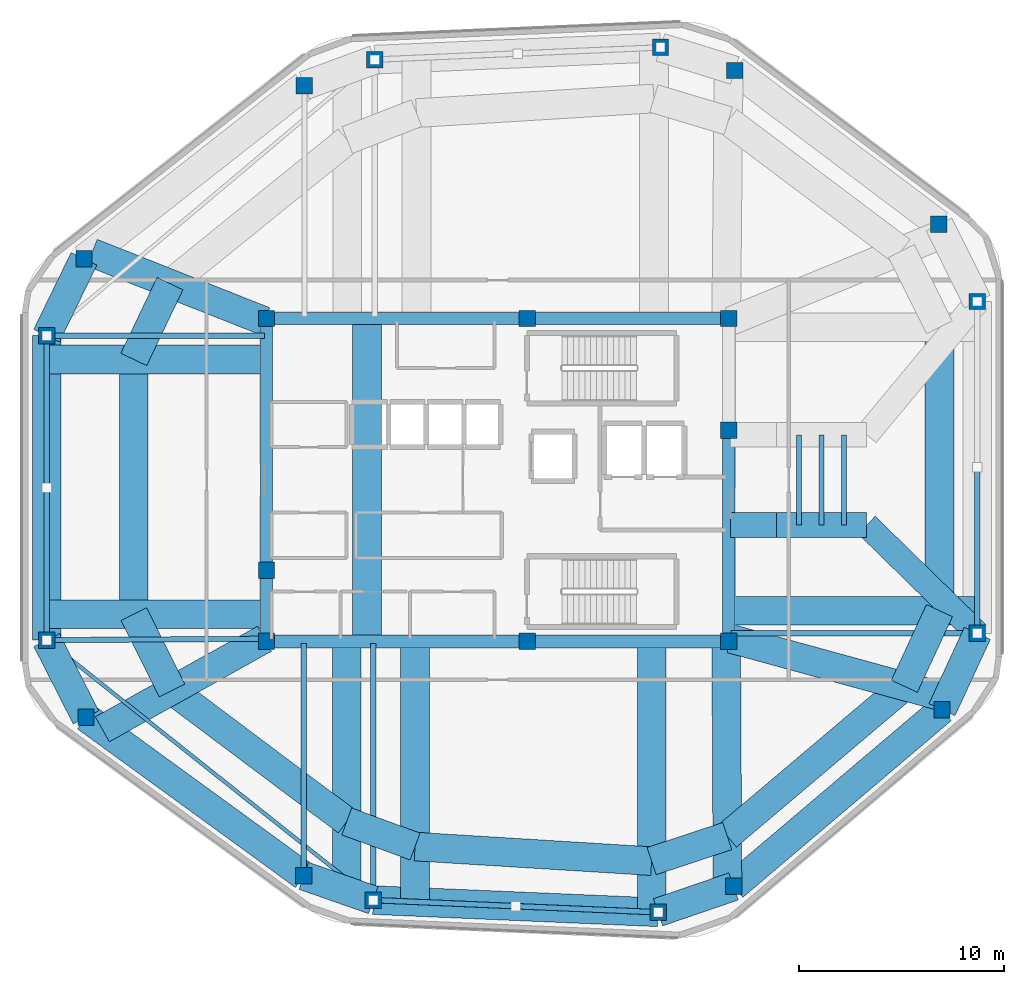
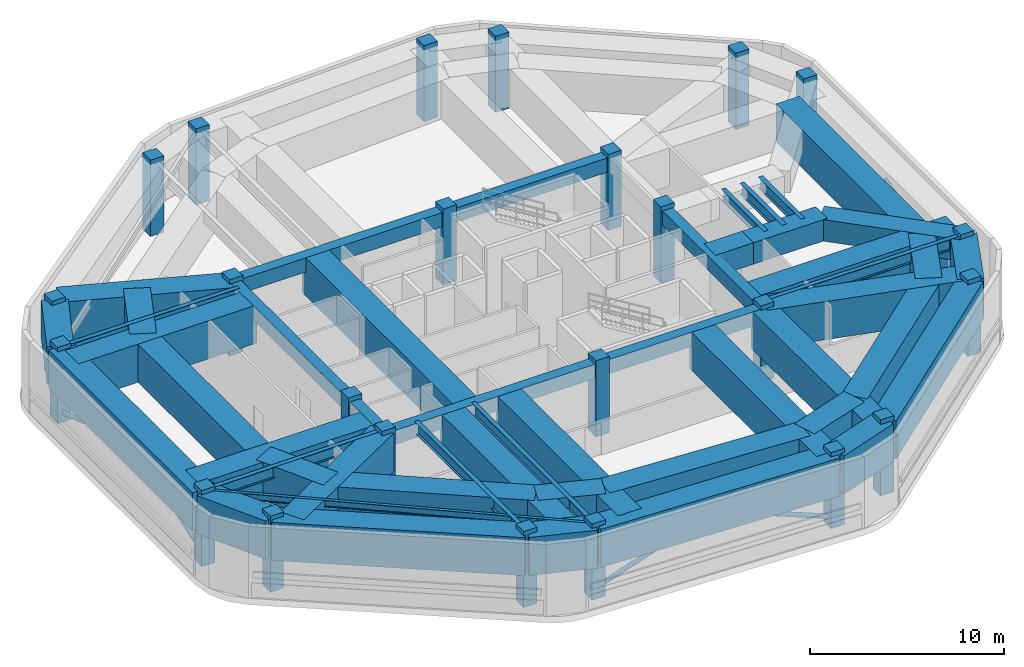
# One storey, part 1 of 7: 49 beams, 24 columns, 5 members.
"""IFC4 building model written with IfcOpenShell, lengths in metres."""

from ifc_helpers import new_model, si_unit, direction, frame, origin, origin_2d, place, context, subcontext, project, spatial, rectangle, hollow_circle, i_section, extrude, material, material_profile, profile_set, type_object, element, save


model = new_model("IFC4")

# Units and contexts
model_context = context("Model", 3, precision=1e-05, world=origin(), true_north=direction((0.0, 1.0)))
body_context = subcontext(model_context, "Body", "Model", "MODEL_VIEW")
ifc_project = project(units=[si_unit("LENGTHUNIT", "METRE"), si_unit("AREAUNIT", "SQUARE_METRE"), si_unit("VOLUMEUNIT", "CUBIC_METRE"), si_unit("PLANEANGLEUNIT", "RADIAN"), si_unit("MASSUNIT", "GRAM", prefix="KILO")], contexts=[model_context])

# Site, building, storey
site_placement = place(None, origin())
site = spatial("IfcSite", under=ifc_project, at=site_placement, CompositionType="ELEMENT")
building_placement = place(site_placement, origin())
building = spatial("IfcBuilding", under=site, at=building_placement, Name="Zulverin Broadcast Headquarters", CompositionType="ELEMENT")
storey_placement = place(building_placement, frame((0.0, 0.0, 308.60009765625)))
storey = spatial("IfcBuildingStorey", under=building, at=storey_placement, Name="L79", CompositionType="ELEMENT", Elevation=308.60009765625)

# Columns
ifc_material_1 = material(Name="Concrete C50/60", Category="concrete")
ifc_material_profile_1 = material_profile(ifc_material_1, rectangle(XDim=0.800048828125, YDim=0.800048828125, at=origin_2d()), Name="Concrete C50/60", Category="concrete")
ifc_profile_set_1 = profile_set([ifc_material_profile_1], Name="Concrete C50/60")
column_type_1 = type_object("IfcColumnType", Name="COL-RC-800", PredefinedType="COLUMN", material=ifc_profile_set_1)
for number, where, z_axis, x_axis, name in (
    (1, (30.93359375, 4.703125, 0.0), (0.0, 0.0, 1.0), (1.0, 0.0, 0.0), "L79 Perimeter Column T01"),
    (2, (44.826904296875, 4.1083984375, 0.0), (0.0, 0.0, 1.0), (1.0, 0.0, 0.0), "L79 Perimeter Column T02"),
    (3, (48.5078125, 5.3701171875, 0.0), (0.0, 0.0, 1.0), (1.0, 0.0, 0.0), "L79 Perimeter Column T03"),
    (4, (58.6748046875, 13.9892578125, 0.0), (0.0, 0.0, 1.0), (1.0, 0.0, 0.0), "L79 Perimeter Column T04"),
    (5, (60.39990234375, 17.713623046875, 0.0), (0.0, 0.0, 1.0), (1.0, 0.0, 0.0), "L79 Perimeter Column T05"),
    (6, (60.39990234375, 33.903076171875, 0.0), (0.0, 0.0, 1.0), (1.0, 0.0, 0.0), "L79 Perimeter Column T06"),
    (7, (58.52587890625, 37.661865234375, 0.0), (0.0, 0.0, 1.0), (1.0, 0.0, 0.0), "L79 Perimeter Column T07"),
    (8, (48.55908203125, 45.172607421875, 0.0), (0.0, 0.0, 1.0), (1.0, 0.0, 0.0), "L79 Perimeter Column T08"),
    (9, (44.944580078125, 46.296630859375, 0.0), (0.0, 0.0, 1.0), (1.0, 0.0, 0.0), "L79 Perimeter Column T09"),
    (10, (31.006591796875, 45.699951171875, 0.0), (0.0, 0.0, 1.0), (1.0, 0.0, 0.0), "L79 Perimeter Column T10"),
    (11, (27.573486328125, 44.4296875, 0.0), (0.0, 0.0, 1.0), (1.0, 0.0, 0.0), "L79 Perimeter Column T11"),
    (12, (16.82177734375, 35.98388671875, 0.0), (0.0, 0.0, 1.0), (1.0, 0.0, 0.0), "L79 Perimeter Column T12"),
    (13, (15.0, 32.236083984375, 0.0), (0.0, 0.0, 1.0), (1.0, 0.0, 0.0), "L79 Perimeter Column T13"),
    (14, (15.0, 17.383056640625, 0.0), (0.0, 0.0, 1.0), (1.0, 0.0, 0.0), "L79 Perimeter Column T14"),
    (15, (16.918212890625, 13.61572265625, 0.0), (0.0, 0.0, 1.0), (1.0, 0.0, 0.0), "L79 Perimeter Column T15"),
    (16, (27.54541015625, 5.8857421875, 0.0), (0.0, 0.0, 1.0), (1.0, 0.0, 0.0), "L79 Perimeter Column T16"),
):
    element("IfcColumn", number, at=place(storey_placement, frame(where, z_axis=z_axis, x_axis=x_axis)), inside=storey, type_object=column_type_1, Name=name, PredefinedType="COLUMN", context=body_context, shape_type="SweptSolid", body=[
        extrude(rectangle(XDim=0.800048828125, YDim=0.800048828125, at=origin_2d()), origin(), (0.0, 0.0, 1.0), 4.7998046875),
    ])
ifc_material_profile_2 = material_profile(ifc_material_1, rectangle(XDim=0.800048828125, YDim=0.800048828125, at=origin_2d()), Name="Concrete C50/60", Category="concrete")
ifc_profile_set_2 = profile_set([ifc_material_profile_2], Name="Concrete C50/60")
column_type_2 = type_object("IfcColumnType", Name="PIL-RC-800", PredefinedType="PILASTER", material=ifc_profile_set_2)
for number, where, z_axis, x_axis, name in (
    (17, (25.72509765625, 17.324951171875, 0.0), (0.0, 0.0, 1.0), (1.0, 0.0, 0.0), "L79 Core Pilaster K01"),
    (18, (38.449951171875, 17.324951171875, 0.0), (0.0, 0.0, 1.0), (1.0, 0.0, 0.0), "L79 Core Pilaster K02"),
    (19, (48.27490234375, 17.324951171875, 0.0), (0.0, 0.0, 1.0), (1.0, 0.0, 0.0), "L79 Core Pilaster K03"),
    (20, (48.27490234375, 27.6201171875, 0.0), (0.0, 0.0, 1.0), (1.0, 0.0, 0.0), "L79 Core Pilaster K04"),
    (21, (48.27490234375, 33.074951171875, 0.0), (0.0, 0.0, 1.0), (1.0, 0.0, 0.0), "L79 Core Pilaster K05"),
    (22, (38.449951171875, 33.074951171875, 0.0), (0.0, 0.0, 1.0), (1.0, 0.0, 0.0), "L79 Core Pilaster K06"),
    (23, (25.72509765625, 33.074951171875, 0.0), (0.0, 0.0, 1.0), (1.0, 0.0, 0.0), "L79 Core Pilaster K07"),
    (24, (25.72509765625, 20.800048828125, 0.0), (0.0, 0.0, 1.0), (1.0, 0.0, 0.0), "L79 Core Pilaster K08"),
):
    element("IfcColumn", number, at=place(storey_placement, frame(where, z_axis=z_axis, x_axis=x_axis)), inside=storey, type_object=column_type_2, Name=name, PredefinedType="PILASTER", context=body_context, shape_type="SweptSolid", body=[
        extrude(rectangle(XDim=0.800048828125, YDim=0.800048828125, at=origin_2d()), origin(), (0.0, 0.0, 1.0), 4.7998046875),
    ])

# Beams
ifc_material_2 = material(Name="Concrete C60/75", Category="concrete")
ifc_material_profile_3 = material_profile(ifc_material_2, rectangle(XDim=0.60009765625, YDim=0.89990234375, at=origin_2d()), Name="Concrete C60/75", Category="concrete")
ifc_profile_set_3 = profile_set([ifc_material_profile_3], Name="Concrete C60/75")
beam_type_1 = type_object("IfcBeamType", Name="BM-CB-600x900", PredefinedType="LINTEL", material=ifc_profile_set_3)
beam_1_placement = place(storey_placement, frame((25.72509765625, 17.324951171875, 4.06982421875), z_axis=(1.0, 0.0, 0.0), x_axis=(0.0, 1.0, 0.0)))
element("IfcBeam", 25, at=beam_1_placement, inside=storey, type_object=beam_type_1, Name="L79 Core Coupling Girder K01-K02", PredefinedType="LINTEL", context=body_context, shape_type="SweptSolid", body=[
    extrude(rectangle(XDim=0.60009765625, YDim=0.89990234375, at=origin_2d()), origin(), (0.0, 0.0, 1.0), 12.724853515625),
])
beam_2_placement = place(storey_placement, frame((38.449951171875, 17.324951171875, 4.06982421875), z_axis=(1.0, 0.0, 0.0), x_axis=(0.0, 1.0, 0.0)))
element("IfcBeam", 26, at=beam_2_placement, inside=storey, type_object=beam_type_1, Name="L79 Core Coupling Girder K02-K03", PredefinedType="LINTEL", context=body_context, shape_type="SweptSolid", body=[
    extrude(rectangle(XDim=0.60009765625, YDim=0.89990234375, at=origin_2d()), origin(), (0.0, 0.0, 1.0), 9.824951171875),
])
beam_3_placement = place(storey_placement, frame((48.27490234375, 17.324951171875, 4.06982421875), z_axis=(0.0, 1.0, 0.0), x_axis=(-1.0, 0.0, 0.0)))
element("IfcBeam", 27, at=beam_3_placement, inside=storey, type_object=beam_type_1, Name="L79 Core Coupling Girder K03-K04", PredefinedType="LINTEL", context=body_context, shape_type="SweptSolid", body=[
    extrude(rectangle(XDim=0.60009765625, YDim=0.89990234375, at=origin_2d()), origin(), (0.0, 0.0, 1.0), 10.295166015625),
])
beam_4_placement = place(storey_placement, frame((48.27490234375, 33.074951171875, 4.06982421875), z_axis=(-1.0, 0.0, 0.0), x_axis=(0.0, -1.0, 0.0)))
element("IfcBeam", 28, at=beam_4_placement, inside=storey, type_object=beam_type_1, Name="L79 Core Coupling Girder K05-K06", PredefinedType="LINTEL", context=body_context, shape_type="SweptSolid", body=[
    extrude(rectangle(XDim=0.60009765625, YDim=0.89990234375, at=origin_2d()), origin(), (0.0, 0.0, 1.0), 9.824951171875),
])
beam_5_placement = place(storey_placement, frame((38.449951171875, 33.074951171875, 4.06982421875), z_axis=(-1.0, 0.0, 0.0), x_axis=(0.0, -1.0, 0.0)))
element("IfcBeam", 29, at=beam_5_placement, inside=storey, type_object=beam_type_1, Name="L79 Core Coupling Girder K06-K07", PredefinedType="LINTEL", context=body_context, shape_type="SweptSolid", body=[
    extrude(rectangle(XDim=0.60009765625, YDim=0.89990234375, at=origin_2d()), origin(), (0.0, 0.0, 1.0), 12.724853515625),
])
beam_6_placement = place(storey_placement, frame((25.72509765625, 33.074951171875, 4.06982421875), z_axis=(0.0, -1.0, 0.0), x_axis=(1.0, 0.0, 0.0)))
element("IfcBeam", 30, at=beam_6_placement, inside=storey, type_object=beam_type_1, Name="L79 Core Coupling Girder K07-K08", PredefinedType="LINTEL", context=body_context, shape_type="SweptSolid", body=[
    extrude(rectangle(XDim=0.60009765625, YDim=0.89990234375, at=origin_2d()), origin(), (0.0, 0.0, 1.0), 12.27490234375),
])
beam_7_placement = place(storey_placement, frame((25.72509765625, 20.800048828125, 4.06982421875), z_axis=(0.0, -1.0, 0.0), x_axis=(1.0, 0.0, 0.0)))
element("IfcBeam", 31, at=beam_7_placement, inside=storey, type_object=beam_type_1, Name="L79 Core Coupling Girder K08-K01", PredefinedType="LINTEL", context=body_context, shape_type="SweptSolid", body=[
    extrude(rectangle(XDim=0.60009765625, YDim=0.89990234375, at=origin_2d()), origin(), (0.0, 0.0, 1.0), 3.47509765625),
])
ifc_material_profile_4 = material_profile(ifc_material_2, rectangle(XDim=1.39990234375, YDim=2.39990234375, at=origin_2d()), Name="Concrete C60/75", Category="concrete")
ifc_profile_set_4 = profile_set([ifc_material_profile_4], Name="Concrete C60/75")
beam_type_2 = type_object("IfcBeamType", Name="BM-TG-1400x2400", PredefinedType="USERDEFINED", material=ifc_profile_set_4)
beam_8_placement = place(storey_placement, frame((30.93359375, 4.703125, 3.31982421875), z_axis=(0.999085051108, -0.042767518662, 0.0), x_axis=(0.042767518662, 0.999085051108, 0.0)))
element("IfcBeam", 32, at=beam_8_placement, inside=storey, type_object=beam_type_2, Name="L79 Perimeter Transfer Ring Girder SP-01", ObjectType="TRANSFER GIRDER", PredefinedType="USERDEFINED", context=body_context, shape_type="SweptSolid", body=[
    extrude(rectangle(XDim=1.39990234375, YDim=2.39990234375, at=origin_2d()), origin(), (0.0, 0.0, 1.0), 13.906005859375),
])
beam_9_placement = place(storey_placement, frame((44.826904296875, 4.1083984375, 3.31982421875), z_axis=(0.945970142065, 0.324253743728, 0.0), x_axis=(-0.324253743728, 0.945970142065, 0.0)))
element("IfcBeam", 33, at=beam_9_placement, inside=storey, type_object=beam_type_2, Name="L79 Perimeter Transfer Ring Girder SP-02", ObjectType="TRANSFER GIRDER", PredefinedType="USERDEFINED", context=body_context, shape_type="SweptSolid", body=[
    extrude(rectangle(XDim=1.39990234375, YDim=2.39990234375, at=origin_2d()), origin(), (0.0, 0.0, 1.0), 3.89111328125),
])
beam_10_placement = place(storey_placement, frame((48.5078125, 5.3701171875, 3.31982421875), z_axis=(0.762782889345, 0.646654671152, 0.0), x_axis=(-0.646654671152, 0.762782889345, 0.0)))
element("IfcBeam", 34, at=beam_10_placement, inside=storey, type_object=beam_type_2, Name="L79 Perimeter Transfer Ring Girder SP-03", ObjectType="TRANSFER GIRDER", PredefinedType="USERDEFINED", context=body_context, shape_type="SweptSolid", body=[
    extrude(rectangle(XDim=1.39990234375, YDim=2.39990234375, at=origin_2d()), origin(), (0.0, 0.0, 1.0), 13.328857421875),
])
beam_11_placement = place(storey_placement, frame((58.6748046875, 13.9892578125, 3.31982421875), z_axis=(0.420294999852, 0.907387520908, 0.0), x_axis=(-0.907387520908, 0.420294999852, 0.0)))
element("IfcBeam", 35, at=beam_11_placement, inside=storey, type_object=beam_type_2, Name="L79 Perimeter Transfer Ring Girder SP-04", ObjectType="TRANSFER GIRDER", PredefinedType="USERDEFINED", context=body_context, shape_type="SweptSolid", body=[
    extrude(rectangle(XDim=1.39990234375, YDim=2.39990234375, at=origin_2d()), origin(), (0.0, 0.0, 1.0), 4.1044921875),
])
beam_12_placement = place(storey_placement, frame((16.82177734375, 35.98388671875, 3.31982421875), z_axis=(-0.437178884994, -0.899374572976, 0.0), x_axis=(0.899374572976, -0.437178884994, 0.0)))
element("IfcBeam", 36, at=beam_12_placement, inside=storey, type_object=beam_type_2, Name="L79 Perimeter Transfer Ring Girder SP-12", ObjectType="TRANSFER GIRDER", PredefinedType="USERDEFINED", context=body_context, shape_type="SweptSolid", body=[
    extrude(rectangle(XDim=1.39990234375, YDim=2.39990234375, at=origin_2d()), origin(), (0.0, 0.0, 1.0), 4.167236328125),
])
beam_13_placement = place(storey_placement, frame((15.0, 32.236083984375, 3.31982421875), z_axis=(0.0, -1.0, 0.0), x_axis=(1.0, 0.0, 0.0)))
element("IfcBeam", 37, at=beam_13_placement, inside=storey, type_object=beam_type_2, Name="L79 Perimeter Transfer Ring Girder SP-13", ObjectType="TRANSFER GIRDER", PredefinedType="USERDEFINED", context=body_context, shape_type="SweptSolid", body=[
    extrude(rectangle(XDim=1.39990234375, YDim=2.39990234375, at=origin_2d()), origin(), (0.0, 0.0, 1.0), 14.85302734375),
])
beam_14_placement = place(storey_placement, frame((15.0, 17.383056640625, 3.31982421875), z_axis=(0.453738909408, -0.89113467113, 0.0), x_axis=(0.89113467113, 0.453738909408, 0.0)))
element("IfcBeam", 38, at=beam_14_placement, inside=storey, type_object=beam_type_2, Name="L79 Perimeter Transfer Ring Girder SP-14", ObjectType="TRANSFER GIRDER", PredefinedType="USERDEFINED", context=body_context, shape_type="SweptSolid", body=[
    extrude(rectangle(XDim=1.39990234375, YDim=2.39990234375, at=origin_2d()), origin(), (0.0, 0.0, 1.0), 4.2275390625),
])
beam_15_placement = place(storey_placement, frame((16.918212890625, 13.61572265625, 3.31982421875), z_axis=(0.808695913066, -0.588226929162, 0.0), x_axis=(0.588226929162, 0.808695913066, 0.0)))
element("IfcBeam", 39, at=beam_15_placement, inside=storey, type_object=beam_type_2, Name="L79 Perimeter Transfer Ring Girder SP-15", ObjectType="TRANSFER GIRDER", PredefinedType="USERDEFINED", context=body_context, shape_type="SweptSolid", body=[
    extrude(rectangle(XDim=1.39990234375, YDim=2.39990234375, at=origin_2d()), origin(), (0.0, 0.0, 1.0), 13.14111328125),
])
beam_16_placement = place(storey_placement, frame((27.54541015625, 5.8857421875, 3.31982421875), z_axis=(0.944140138036, -0.329544230339, 0.0), x_axis=(0.329544230339, 0.944140138036, 0.0)))
element("IfcBeam", 40, at=beam_16_placement, inside=storey, type_object=beam_type_2, Name="L79 Perimeter Transfer Ring Girder SP-16", ObjectType="TRANSFER GIRDER", PredefinedType="USERDEFINED", context=body_context, shape_type="SweptSolid", body=[
    extrude(rectangle(XDim=1.39990234375, YDim=2.39990234375, at=origin_2d()), origin(), (0.0, 0.0, 1.0), 3.588623046875),
])
beam_17_placement = place(storey_placement, frame((32.971923828125, 17.22509765625, 3.31982421875), z_axis=(0.0, -1.0, 0.0), x_axis=(1.0, 0.0, 0.0)))
element("IfcBeam", 41, at=beam_17_placement, inside=storey, type_object=beam_type_2, Name="C1 Step Transfer Girder TG-01", ObjectType="TRANSFER GIRDER", PredefinedType="USERDEFINED", context=body_context, shape_type="SweptSolid", body=[
    extrude(rectangle(XDim=1.39990234375, YDim=2.39990234375, at=origin_2d()), origin(), (0.0, 0.0, 1.0), 12.609130859375),
])
beam_18_placement = place(storey_placement, frame((32.971923828125, 7.314697265625, 3.31982421875), z_axis=(0.998102057363, -0.06158151579, 0.0), x_axis=(0.06158151579, 0.998102057363, 0.0)))
element("IfcBeam", 42, at=beam_18_placement, inside=storey, type_object=beam_type_2, Name="C1 Step Transfer Ring Girder TGR-01", ObjectType="TRANSFER GIRDER", PredefinedType="USERDEFINED", context=body_context, shape_type="SweptSolid", body=[
    extrude(rectangle(XDim=1.39990234375, YDim=2.39990234375, at=origin_2d()), origin(), (0.0, 0.0, 1.0), 11.560546875),
])
beam_19_placement = place(storey_placement, frame((44.510498046875, 17.22509765625, 3.31982421875), z_axis=(0.0, -1.0, 0.0), x_axis=(1.0, 0.0, 0.0)))
element("IfcBeam", 43, at=beam_19_placement, inside=storey, type_object=beam_type_2, Name="C1 Step Transfer Girder TG-02", ObjectType="TRANSFER GIRDER", PredefinedType="USERDEFINED", context=body_context, shape_type="SweptSolid", body=[
    extrude(rectangle(XDim=1.39990234375, YDim=2.39990234375, at=origin_2d()), origin(), (0.0, 0.0, 1.0), 13.10302734375),
])
beam_20_placement = place(storey_placement, frame((44.510498046875, 6.602783203125, 3.31982421875), z_axis=(0.94917852209, 0.314738197878, 0.0), x_axis=(-0.314738197878, 0.94917852209, 0.0)))
element("IfcBeam", 44, at=beam_20_placement, inside=storey, type_object=beam_type_2, Name="C1 Step Transfer Ring Girder TGR-02", ObjectType="TRANSFER GIRDER", PredefinedType="USERDEFINED", context=body_context, shape_type="SweptSolid", body=[
    extrude(rectangle(XDim=1.39990234375, YDim=2.39990234375, at=origin_2d()), origin(), (0.0, 0.0, 1.0), 3.885498046875),
])
beam_21_placement = place(storey_placement, frame((48.14990234375, 17.22509765625, 3.31982421875), z_axis=(0.00516593752, -0.999986656456, 0.0), x_axis=(0.999986656456, 0.00516593752, 0.0)))
element("IfcBeam", 45, at=beam_21_placement, inside=storey, type_object=beam_type_2, Name="C1 Step Transfer Girder TG-03", ObjectType="TRANSFER GIRDER", PredefinedType="USERDEFINED", context=body_context, shape_type="SweptSolid", body=[
    extrude(rectangle(XDim=1.39990234375, YDim=2.39990234375, at=origin_2d()), origin(), (0.0, 0.0, 1.0), 11.956787109375),
])
beam_22_placement = place(storey_placement, frame((48.198486328125, 7.82568359375, 3.31982421875), z_axis=(0.763587561037, 0.645704295038, 0.0), x_axis=(-0.645704295038, 0.763587561037, 0.0)))
element("IfcBeam", 46, at=beam_22_placement, inside=storey, type_object=beam_type_2, Name="C1 Step Transfer Ring Girder TGR-03", ObjectType="TRANSFER GIRDER", PredefinedType="USERDEFINED", context=body_context, shape_type="SweptSolid", body=[
    extrude(rectangle(XDim=1.39990234375, YDim=2.39990234375, at=origin_2d()), origin(), (0.0, 0.0, 1.0), 11.316162109375),
])
beam_23_placement = place(storey_placement, frame((48.375, 17.449951171875, 3.31982421875), z_axis=(0.964503564639, -0.264069827506, 0.0), x_axis=(0.264069827506, 0.964503564639, 0.0)))
element("IfcBeam", 47, at=beam_23_placement, inside=storey, type_object=beam_type_2, Name="C1 Step Transfer Girder TG-04", ObjectType="TRANSFER GIRDER", PredefinedType="USERDEFINED", context=body_context, shape_type="SweptSolid", body=[
    extrude(rectangle(XDim=1.39990234375, YDim=2.39990234375, at=origin_2d()), origin(), (0.0, 0.0, 1.0), 10.951904296875),
])
beam_24_placement = place(storey_placement, frame((56.83935546875, 15.132568359375, 3.31982421875), z_axis=(0.420881870179, 0.907115456463, 0.0), x_axis=(-0.907115456463, 0.420881870179, 0.0)))
element("IfcBeam", 48, at=beam_24_placement, inside=storey, type_object=beam_type_2, Name="C1 Step Transfer Ring Girder TGR-04", ObjectType="TRANSFER GIRDER", PredefinedType="USERDEFINED", context=body_context, shape_type="SweptSolid", body=[
    extrude(rectangle(XDim=1.39990234375, YDim=2.39990234375, at=origin_2d()), origin(), (0.0, 0.0, 1.0), 4.064453125),
])
beam_25_placement = place(storey_placement, frame((48.375, 18.819580078125, 3.31982421875), z_axis=(1.0, 0.0, 0.0), x_axis=(0.0, 1.0, 0.0)))
element("IfcBeam", 49, at=beam_25_placement, inside=storey, type_object=beam_type_2, Name="C1 Step Transfer Girder TG-05", ObjectType="TRANSFER GIRDER", PredefinedType="USERDEFINED", context=body_context, shape_type="SweptSolid", body=[
    extrude(rectangle(XDim=1.39990234375, YDim=2.39990234375, at=origin_2d()), origin(), (0.0, 0.0, 1.0), 12.02490234375),
])
beam_26_placement = place(storey_placement, frame((58.550048828125, 18.819580078125, 3.31982421875), z_axis=(0.0, 1.0, 0.0), x_axis=(-1.0, 0.0, 0.0)))
element("IfcBeam", 50, at=beam_26_placement, inside=storey, type_object=beam_type_2, Name="C1 Step Transfer Ring Girder TGR-05", ObjectType="TRANSFER GIRDER", PredefinedType="USERDEFINED", context=body_context, shape_type="SweptSolid", body=[
    extrude(rectangle(XDim=1.39990234375, YDim=2.39990234375, at=origin_2d()), origin(), (0.0, 0.0, 1.0), 13.82861328125),
])
beam_27_placement = place(storey_placement, frame((25.625, 32.949951171875, 3.31982421875), z_axis=(-0.929715289979, 0.368279078389, 0.0), x_axis=(-0.368279078389, -0.929715289979, 0.0)))
element("IfcBeam", 51, at=beam_27_placement, inside=storey, type_object=beam_type_2, Name="C1 Step Transfer Girder TG-12", ObjectType="TRANSFER GIRDER", PredefinedType="USERDEFINED", context=body_context, shape_type="SweptSolid", body=[
    extrude(rectangle(XDim=1.39990234375, YDim=2.39990234375, at=origin_2d()), origin(), (0.0, 0.0, 1.0), 9.05615234375),
])
beam_28_placement = place(storey_placement, frame((21.015625, 34.77587890625, 3.31982421875), z_axis=(-0.430654629298, -0.902516808854, 0.0), x_axis=(0.902516808854, -0.430654629298, 0.0)))
element("IfcBeam", 52, at=beam_28_placement, inside=storey, type_object=beam_type_2, Name="C1 Step Transfer Ring Girder TGR-12", ObjectType="TRANSFER GIRDER", PredefinedType="USERDEFINED", context=body_context, shape_type="SweptSolid", body=[
    extrude(rectangle(XDim=1.39990234375, YDim=2.39990234375, at=origin_2d()), origin(), (0.0, 0.0, 1.0), 4.099853515625),
])
beam_29_placement = place(storey_placement, frame((25.625, 31.07568359375, 3.31982421875), z_axis=(-1.0, 0.0, 0.0), x_axis=(0.0, -1.0, 0.0)))
element("IfcBeam", 53, at=beam_29_placement, inside=storey, type_object=beam_type_2, Name="C1 Step Transfer Girder TG-13", ObjectType="TRANSFER GIRDER", PredefinedType="USERDEFINED", context=body_context, shape_type="SweptSolid", body=[
    extrude(rectangle(XDim=1.39990234375, YDim=2.39990234375, at=origin_2d()), origin(), (0.0, 0.0, 1.0), 10.625),
])
beam_30_placement = place(storey_placement, frame((19.25, 31.07568359375, 3.31982421875), z_axis=(0.0, -1.0, 0.0), x_axis=(1.0, 0.0, 0.0)))
element("IfcBeam", 54, at=beam_30_placement, inside=storey, type_object=beam_type_2, Name="C1 Step Transfer Ring Girder TGR-13", ObjectType="TRANSFER GIRDER", PredefinedType="USERDEFINED", context=body_context, shape_type="SweptSolid", body=[
    extrude(rectangle(XDim=1.39990234375, YDim=2.39990234375, at=origin_2d()), origin(), (0.0, 0.0, 1.0), 12.4248046875),
])
beam_31_placement = place(storey_placement, frame((25.625, 18.65087890625, 3.31982421875), z_axis=(-1.0, 0.0, 0.0), x_axis=(0.0, -1.0, 0.0)))
element("IfcBeam", 55, at=beam_31_placement, inside=storey, type_object=beam_type_2, Name="C1 Step Transfer Girder TG-14", ObjectType="TRANSFER GIRDER", PredefinedType="USERDEFINED", context=body_context, shape_type="SweptSolid", body=[
    extrude(rectangle(XDim=1.39990234375, YDim=2.39990234375, at=origin_2d()), origin(), (0.0, 0.0, 1.0), 10.625),
])
beam_32_placement = place(storey_placement, frame((19.25, 18.65087890625, 3.31982421875), z_axis=(0.4474013968, -0.894333265702, 0.0), x_axis=(0.894333265702, 0.4474013968, 0.0)))
element("IfcBeam", 56, at=beam_32_placement, inside=storey, type_object=beam_type_2, Name="C1 Step Transfer Ring Girder TGR-14", ObjectType="TRANSFER GIRDER", PredefinedType="USERDEFINED", context=body_context, shape_type="SweptSolid", body=[
    extrude(rectangle(XDim=1.39990234375, YDim=2.39990234375, at=origin_2d()), origin(), (0.0, 0.0, 1.0), 4.15966796875),
])
beam_33_placement = place(storey_placement, frame((25.625, 17.449951171875, 3.31982421875), z_axis=(-0.873203303953, -0.487356122323, 0.0), x_axis=(0.487356122323, -0.873203303953, 0.0)))
element("IfcBeam", 57, at=beam_33_placement, inside=storey, type_object=beam_type_2, Name="C1 Step Transfer Girder TG-15", ObjectType="TRANSFER GIRDER", PredefinedType="USERDEFINED", context=body_context, shape_type="SweptSolid", body=[
    extrude(rectangle(XDim=1.39990234375, YDim=2.39990234375, at=origin_2d()), origin(), (0.0, 0.0, 1.0), 9.0576171875),
])
beam_34_placement = place(storey_placement, frame((21.111083984375, 14.9306640625, 3.31982421875), z_axis=(0.800252842914, -0.599662728046, 0.0), x_axis=(0.599662728046, 0.800252842914, 0.0)))
element("IfcBeam", 58, at=beam_34_placement, inside=storey, type_object=beam_type_2, Name="C1 Step Transfer Ring Girder TGR-15", ObjectType="TRANSFER GIRDER", PredefinedType="USERDEFINED", context=body_context, shape_type="SweptSolid", body=[
    extrude(rectangle(XDim=1.39990234375, YDim=2.39990234375, at=origin_2d()), origin(), (0.0, 0.0, 1.0), 10.656982421875),
])
beam_35_placement = place(storey_placement, frame((29.639404296875, 17.22509765625, 3.31982421875), z_axis=(0.0, -1.0, 0.0), x_axis=(1.0, 0.0, 0.0)))
element("IfcBeam", 59, at=beam_35_placement, inside=storey, type_object=beam_type_2, Name="C1 Step Transfer Girder TG-16", ObjectType="TRANSFER GIRDER", PredefinedType="USERDEFINED", context=body_context, shape_type="SweptSolid", body=[
    extrude(rectangle(XDim=1.39990234375, YDim=2.39990234375, at=origin_2d()), origin(), (0.0, 0.0, 1.0), 12.0703125),
])
beam_36_placement = place(storey_placement, frame((29.639404296875, 8.5400390625, 3.31982421875), z_axis=(0.938564798166, -0.345103056556, 0.0), x_axis=(0.345103056556, 0.938564798166, 0.0)))
element("IfcBeam", 60, at=beam_36_placement, inside=storey, type_object=beam_type_2, Name="C1 Step Transfer Ring Girder TGR-16", ObjectType="TRANSFER GIRDER", PredefinedType="USERDEFINED", context=body_context, shape_type="SweptSolid", body=[
    extrude(rectangle(XDim=1.39990234375, YDim=2.39990234375, at=origin_2d()), origin(), (0.0, 0.0, 1.0), 3.550537109375),
])
beam_37_placement = place(storey_placement, frame((30.625, 17.22509765625, 3.31982421875), z_axis=(0.0, 1.0, 0.0), x_axis=(-1.0, 0.0, 0.0)))
element("IfcBeam", 61, at=beam_37_placement, inside=storey, type_object=beam_type_2, Name="C1 Core West Shear Wall Transfer Girder", ObjectType="TRANSFER GIRDER", PredefinedType="USERDEFINED", context=body_context, shape_type="SweptSolid", body=[
    extrude(rectangle(XDim=1.39990234375, YDim=2.39990234375, at=origin_2d()), origin(), (0.0, 0.0, 1.0), 15.949951171875),
])
ifc_material_profile_5 = material_profile(ifc_material_1, rectangle(XDim=1.199951171875, YDim=1.35009765625, at=origin_2d()), Name="Concrete C50/60", Category="concrete")
ifc_profile_set_5 = profile_set([ifc_material_profile_5], Name="Concrete C50/60")
beam_type_3 = type_object("IfcBeamType", Name="BM-TG-CRN-1350", PredefinedType="USERDEFINED", material=ifc_profile_set_5)
beam_38_placement = place(storey_placement, frame((48.35009765625, 23.0, 3.844970703125), z_axis=(1.0, 0.0, 0.0), x_axis=(0.0, 1.0, 0.0)))
element("IfcBeam", 62, at=beam_38_placement, inside=storey, type_object=beam_type_3, Name="C1 Damper Base Transfer Girder In 1", ObjectType="TRANSFER GIRDER", PredefinedType="USERDEFINED", context=body_context, shape_type="SweptSolid", body=[
    extrude(rectangle(XDim=1.199951171875, YDim=1.35009765625, at=origin_2d()), origin(), (0.0, 0.0, 1.0), 2.25),
])
beam_39_placement = place(storey_placement, frame((50.60009765625, 23.0, 3.844970703125), z_axis=(1.0, 0.0, 0.0), x_axis=(0.0, 1.0, 0.0)))
element("IfcBeam", 63, at=beam_39_placement, inside=storey, type_object=beam_type_3, Name="C1 Damper Base Transfer Girder Mid 1", ObjectType="TRANSFER GIRDER", PredefinedType="USERDEFINED", context=body_context, shape_type="SweptSolid", body=[
    extrude(rectangle(XDim=1.199951171875, YDim=1.35009765625, at=origin_2d()), origin(), (0.0, 0.0, 1.0), 4.39990234375),
])
beam_40_placement = place(storey_placement, frame((55.0, 23.0, 3.844970703125), z_axis=(0.714578388528, -0.699555377828, 0.0), x_axis=(0.699555377828, 0.714578388528, 0.0)))
element("IfcBeam", 64, at=beam_40_placement, inside=storey, type_object=beam_type_3, Name="C1 Damper Base Transfer Girder Out 1", ObjectType="TRANSFER GIRDER", PredefinedType="USERDEFINED", context=body_context, shape_type="SweptSolid", body=[
    extrude(rectangle(XDim=1.199951171875, YDim=1.35009765625, at=origin_2d()), origin(), (0.0, 0.0, 1.0), 7.556884765625),
])
ifc_material_3 = material(Name="Structural steel S355JR", Category="steel")
ifc_material_profile_6 = material_profile(ifc_material_3, i_section(OverallWidth=0.179443359375, OverallDepth=0.412841796875, WebThickness=0.009521484375, FlangeThickness=0.01611328125, at=origin_2d()), Name="Structural steel S355JR", Category="steel")
ifc_profile_set_6 = profile_set([ifc_material_profile_6], Name="Structural steel S355JR")
beam_type_4 = type_object("IfcBeamType", Name="BM-UB-406", PredefinedType="JOIST", material=ifc_profile_set_6)
beam_41_placement = place(storey_placement, frame((15.0, 17.383056640625, 4.3134765625), z_axis=(0.782469878912, -0.622688436214, 0.0), x_axis=(0.622688436214, 0.782469878912, 0.0)))
element("IfcBeam", 65, at=beam_41_placement, inside=storey, type_object=beam_type_4, Name="L79 Chordal Floor Joist J-04", PredefinedType="JOIST", context=body_context, shape_type="SweptSolid", body=[
    extrude(i_section(OverallWidth=0.179443359375, OverallDepth=0.412841796875, WebThickness=0.009521484375, FlangeThickness=0.01611328125, at=origin_2d()), origin(), (0.0, 0.0, 1.0), 20.36328125),
])
ifc_material_profile_7 = material_profile(ifc_material_3, i_section(OverallWidth=0.255859375, OverallDepth=0.69287109375, WebThickness=0.014404296875, FlangeThickness=0.023681640625, at=origin_2d()), Name="Structural steel S355JR", Category="steel")
ifc_profile_set_7 = profile_set([ifc_material_profile_7], Name="Structural steel S355JR")
beam_type_5 = type_object("IfcBeamType", Name="BM-UB-686", PredefinedType="BEAM", material=ifc_profile_set_7)
beam_42_placement = place(storey_placement, frame((30.93359375, 17.22509765625, 4.173583984375), z_axis=(0.0, -1.0, 0.0), x_axis=(1.0, 0.0, 0.0)))
element("IfcBeam", 66, at=beam_42_placement, inside=storey, type_object=beam_type_5, Name="L79 Radial Primary Floor Beam RB-01", PredefinedType="BEAM", context=body_context, shape_type="SweptSolid", body=[
    extrude(i_section(OverallWidth=0.255859375, OverallDepth=0.69287109375, WebThickness=0.014404296875, FlangeThickness=0.023681640625, at=origin_2d()), origin(), (0.0, 0.0, 1.0), 12.52197265625),
])
beam_43_placement = place(storey_placement, frame((48.375, 17.713623046875, 4.173583984375), z_axis=(1.0, 0.0, 0.0), x_axis=(0.0, 1.0, 0.0)))
element("IfcBeam", 67, at=beam_43_placement, inside=storey, type_object=beam_type_5, Name="L79 Radial Primary Floor Beam RB-05", PredefinedType="BEAM", context=body_context, shape_type="SweptSolid", body=[
    extrude(i_section(OverallWidth=0.255859375, OverallDepth=0.69287109375, WebThickness=0.014404296875, FlangeThickness=0.023681640625, at=origin_2d()), origin(), (0.0, 0.0, 1.0), 12.02490234375),
])
beam_44_placement = place(storey_placement, frame((25.625, 32.236083984375, 4.173583984375), z_axis=(-1.0, 0.0, 0.0), x_axis=(0.0, -1.0, 0.0)))
element("IfcBeam", 68, at=beam_44_placement, inside=storey, type_object=beam_type_5, Name="L79 Radial Primary Floor Beam RB-13", PredefinedType="BEAM", context=body_context, shape_type="SweptSolid", body=[
    extrude(i_section(OverallWidth=0.255859375, OverallDepth=0.69287109375, WebThickness=0.014404296875, FlangeThickness=0.023681640625, at=origin_2d()), origin(), (0.0, 0.0, 1.0), 10.625),
])
beam_45_placement = place(storey_placement, frame((25.625, 17.449951171875, 4.173583984375), z_axis=(-0.999980181059, -0.006295831103, 0.0), x_axis=(0.006295831103, -0.999980181059, 0.0)))
element("IfcBeam", 69, at=beam_45_placement, inside=storey, type_object=beam_type_5, Name="L79 Radial Primary Floor Beam RB-14", PredefinedType="BEAM", context=body_context, shape_type="SweptSolid", body=[
    extrude(i_section(OverallWidth=0.255859375, OverallDepth=0.69287109375, WebThickness=0.014404296875, FlangeThickness=0.023681640625, at=origin_2d()), origin(), (0.0, 0.0, 1.0), 10.625244140625),
])
beam_46_placement = place(storey_placement, frame((27.54541015625, 17.22509765625, 4.173583984375), z_axis=(0.0, -1.0, 0.0), x_axis=(1.0, 0.0, 0.0)))
element("IfcBeam", 70, at=beam_46_placement, inside=storey, type_object=beam_type_5, Name="L79 Radial Primary Floor Beam RB-16", PredefinedType="BEAM", context=body_context, shape_type="SweptSolid", body=[
    extrude(i_section(OverallWidth=0.255859375, OverallDepth=0.69287109375, WebThickness=0.014404296875, FlangeThickness=0.023681640625, at=origin_2d()), origin(), (0.0, 0.0, 1.0), 11.33935546875),
])
for number, where, z_axis, x_axis, name in (
    (71, (51.699951171875, 23.0, 4.173583984375), (0.0, 1.0, 0.0), (-1.0, 0.0, 0.0), "C1 Damper Plinth Cross Beam 51.7"),
    (72, (52.800048828125, 23.0, 4.173583984375), (0.0, 1.0, 0.0), (-1.0, 0.0, 0.0), "C1 Damper Plinth Cross Beam 52.8"),
    (73, (53.89990234375, 23.0, 4.173583984375), (0.0, 1.0, 0.0), (-1.0, 0.0, 0.0), "C1 Damper Plinth Cross Beam 53.9"),
):
    element("IfcBeam", number, at=place(storey_placement, frame(where, z_axis=z_axis, x_axis=x_axis)), inside=storey, type_object=beam_type_5, Name=name, PredefinedType="BEAM", context=body_context, shape_type="SweptSolid", body=[
        extrude(i_section(OverallWidth=0.255859375, OverallDepth=0.69287109375, WebThickness=0.014404296875, FlangeThickness=0.023681640625, at=origin_2d()), origin(), (0.0, 0.0, 1.0), 4.39990234375),
    ])

# Members
ifc_material_profile_8 = material_profile(ifc_material_3, hollow_circle(Radius=0.136474609375, WallThickness=0.012451171875, at=origin_2d()), Name="Structural steel S355JR", Category="steel")
ifc_profile_set_8 = profile_set([ifc_material_profile_8], Name="Structural steel S355JR")
member_type = type_object("IfcMemberType", Name="MBR-CRN-BRACE", PredefinedType="BRACE", material=ifc_profile_set_8)
member_1_placement = place(storey_placement, frame((30.93359375, 4.703125, 0.39990234375), z_axis=(0.934906206037, -0.040020938353, 0.352631125125), x_axis=(0.042768268834, 0.999085018995, 0.0)))
element("IfcMember", 74, at=member_1_placement, inside=storey, type_object=member_type, Name="L79 Crown Belt Brace CB-1A", PredefinedType="BRACE", context=body_context, shape_type="SweptSolid", body=[
    extrude(hollow_circle(Radius=0.136474609375, WallThickness=0.012451171875, at=origin_2d()), origin(), (0.0, 0.0, 1.0), 7.43017578125),
])
member_2_placement = place(storey_placement, frame((44.826904296875, 4.1083984375, 0.39990234375), z_axis=(-0.934910344313, 0.040019708982, 0.352620292935), x_axis=(-0.042766768516, -0.999085083219, 0.0)))
element("IfcMember", 75, at=member_2_placement, inside=storey, type_object=member_type, Name="L79 Crown Belt Brace CB-1B", PredefinedType="BRACE", context=body_context, shape_type="SweptSolid", body=[
    extrude(hollow_circle(Radius=0.136474609375, WallThickness=0.012451171875, at=origin_2d()), origin(), (0.0, 0.0, 1.0), 7.430419921875),
])
member_3_placement = place(storey_placement, frame((60.39990234375, 17.713623046875, 0.39990234375), z_axis=(0.0, 0.951401995461, 0.307951689446), x_axis=(-1.0, 0.0, 0.0)))
element("IfcMember", 76, at=member_3_placement, inside=storey, type_object=member_type, Name="L79 Crown Belt Brace CB-2A", PredefinedType="BRACE", context=body_context, shape_type="SweptSolid", body=[
    extrude(hollow_circle(Radius=0.136474609375, WallThickness=0.012451171875, at=origin_2d()), origin(), (0.0, 0.0, 1.0), 8.50830078125),
])
for number, where, z_axis, x_axis, name in (
    (77, (15.0, 32.236083984375, 0.39990234375), (0.0, -0.943030390048, 0.332706602649), (1.0, 0.0, 0.0), "L79 Crown Belt Brace CB-4A"),
    (78, (15.0, 17.383056640625, 0.39990234375), (0.0, 0.943030390048, 0.332706602649), (-1.0, 0.0, 0.0), "L79 Crown Belt Brace CB-4B"),
):
    element("IfcMember", number, at=place(storey_placement, frame(where, z_axis=z_axis, x_axis=x_axis)), inside=storey, type_object=member_type, Name=name, PredefinedType="BRACE", context=body_context, shape_type="SweptSolid", body=[
        extrude(hollow_circle(Radius=0.136474609375, WallThickness=0.012451171875, at=origin_2d()), origin(), (0.0, 0.0, 1.0), 7.875244140625),
    ])

save(model, "model.ifc")
